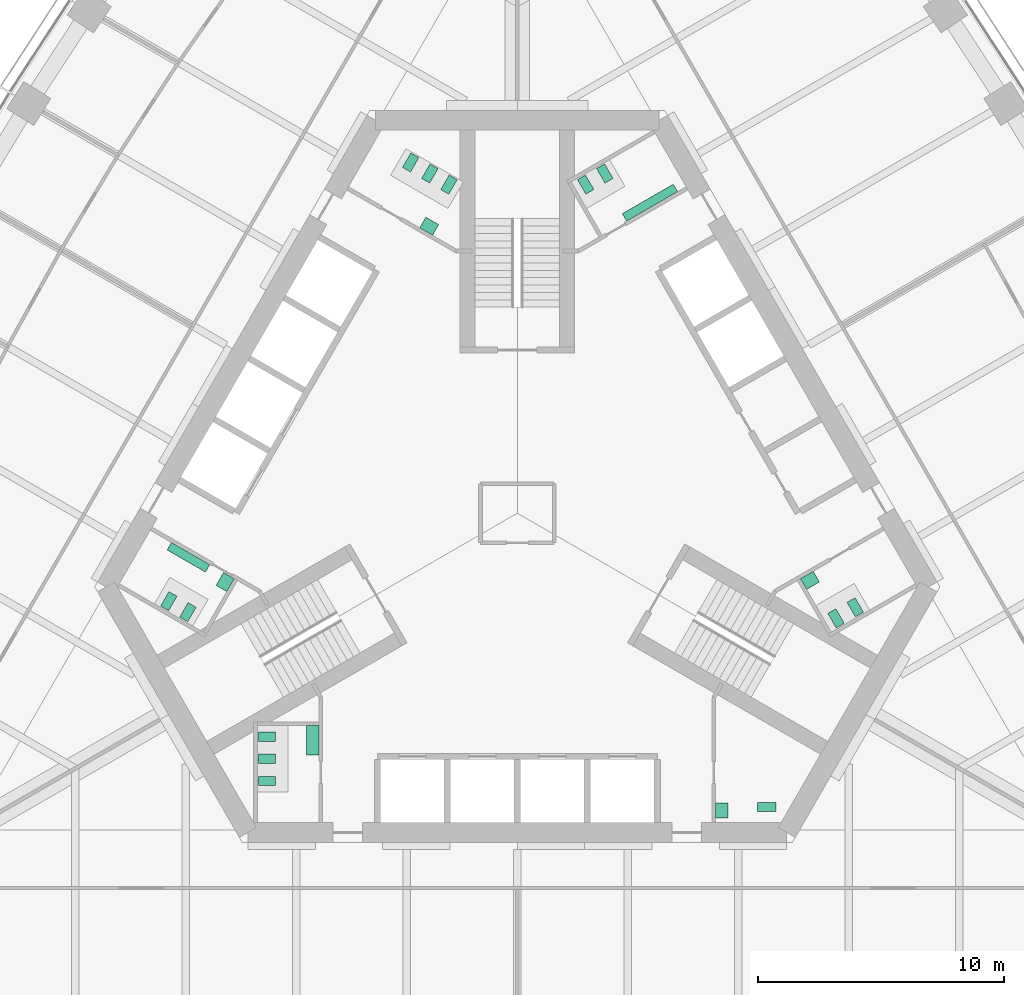
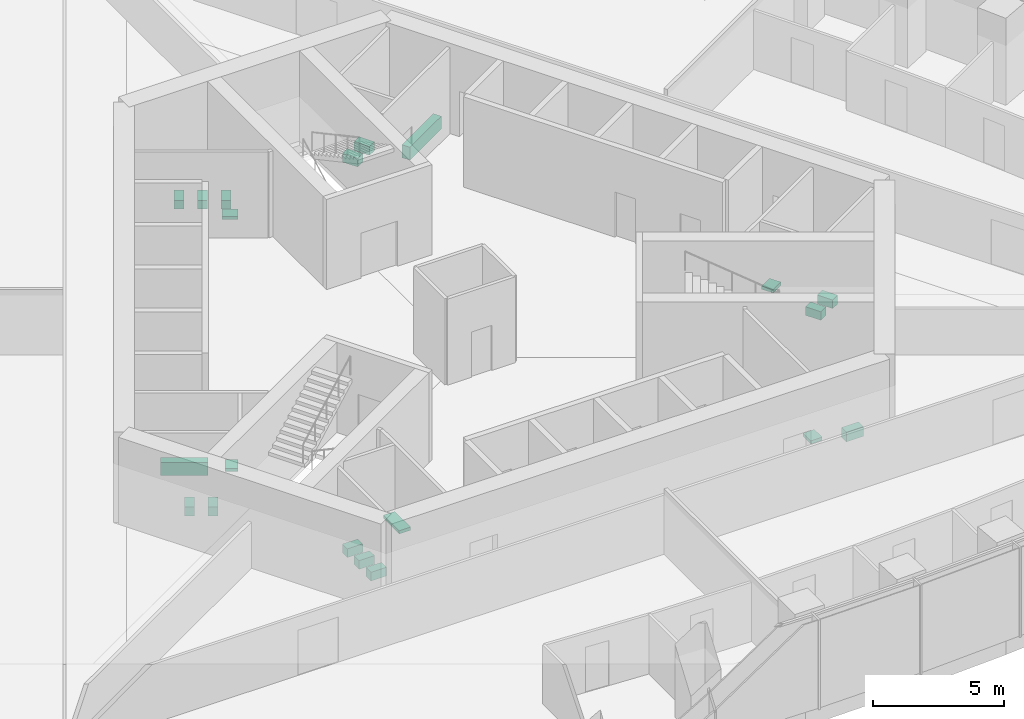
# One storey, part 18 of 19: 20 sanitary terminals.
"""IFC4 building model written with IfcOpenShell, lengths in metres."""

import ifcopenshell
import ifcopenshell.guid

model = None  # the IFC model being written
_history = None  # IfcOwnerHistory: only IFC2X3 demands one
_inside = {}  # id of a spatial element -> (the spatial element, [elements in it])
_under = {}  # id of a project, library or spatial element -> (it, [spatial elements below it])
_declared = {}  # id of a project -> (the project, [libraries it declares])
_typed = {}  # id of a type object -> (the type object, [elements of that type])
_made_of = {}  # id of a material, layer set ... -> (it, [elements and type objects made of it])


def new_model(schema):
    """Start an empty IFC model of exactly this schema.

    Asked for "IFC4X3", IfcOpenShell would pick the latest addendum, in which some entities
    have other attributes; the version numbers below select the first issue.
    IFC2X3 requires an IfcOwnerHistory on every rooted entity: one is made here for all.
    """
    global model, _history
    if schema == "IFC4X3":
        model = ifcopenshell.file(schema_version=(4, 3, 0, 0))
    else:
        model = ifcopenshell.file(schema=schema)
    _inside.clear()
    _under.clear()
    _declared.clear()
    _typed.clear()
    _made_of.clear()
    _history = None
    if model.schema == "IFC2X3":
        org = make("IfcOrganization", Name="unknown")
        user = make(
            "IfcPersonAndOrganization",
            ThePerson=make("IfcPerson", FamilyName="unknown"),
            TheOrganization=org,
        )
        app = make(
            "IfcApplication",
            ApplicationDeveloper=org,
            Version="unknown",
            ApplicationFullName="unknown",
            ApplicationIdentifier="unknown",
        )
        _history = make(
            "IfcOwnerHistory",
            OwningUser=user,
            OwningApplication=app,
            ChangeAction="ADDED",
            CreationDate=0,
        )
    return model


def make(cls, **values):
    """One entity of the class cls with the attributes given. An attribute that is None is left unset."""
    return model.create_entity(
        cls, **{name: value for name, value in values.items() if value is not None}
    )


def rooted(cls, **values):
    """An entity with a GlobalId (a new one), such as an element, a storey or a relation."""
    return make(cls, GlobalId=ifcopenshell.guid.new(), OwnerHistory=_history, **values)


def si_unit(unit_type, name, prefix=None):
    """IfcSIUnit, for example si_unit("LENGTHUNIT", "METRE", prefix="MILLI")."""
    return make("IfcSIUnit", UnitType=unit_type, Prefix=prefix, Name=name)


def assignment(units):
    """IfcUnitAssignment: the units of a project."""
    return None if units is None else make("IfcUnitAssignment", Units=units)


def point(xyz):
    """IfcCartesianPoint."""
    return None if xyz is None else make("IfcCartesianPoint", Coordinates=xyz)


def direction(xyz):
    """IfcDirection."""
    return None if xyz is None else make("IfcDirection", DirectionRatios=xyz)


def frame(location, z_axis=None, x_axis=None):
    """IfcAxis2Placement3D, a coordinate frame: its origin and axes. An axis left out is left unset."""
    return make(
        "IfcAxis2Placement3D",
        Location=point(location),
        Axis=direction(z_axis),
        RefDirection=direction(x_axis),
    )


def origin():
    """The frame at (0, 0, 0) with its axes left unset."""
    return frame((0.0, 0.0, 0.0))


def place(relative_to, where):
    """IfcLocalPlacement: puts the frame where relative to a parent placement (None: the world)."""
    return make(
        "IfcLocalPlacement", PlacementRelTo=relative_to, RelativePlacement=where
    )


def context(
    kind, dimensions, precision=None, world=None, true_north=None, identifier=None
):
    """IfcGeometricRepresentationContext, for example the 3D "Model" context."""
    return make(
        "IfcGeometricRepresentationContext",
        ContextIdentifier=identifier,
        ContextType=kind,
        CoordinateSpaceDimension=dimensions,
        Precision=precision,
        WorldCoordinateSystem=world,
        TrueNorth=true_north,
    )


def subcontext(parent, identifier, kind, view, scale=None):
    """IfcGeometricRepresentationSubContext, for example "Body" below "Model"."""
    return make(
        "IfcGeometricRepresentationSubContext",
        ContextIdentifier=identifier,
        ContextType=kind,
        ParentContext=parent,
        TargetScale=scale,
        TargetView=view,
    )


def project(units=None, contexts=None):
    """IfcProject with its units and contexts."""
    return rooted(
        "IfcProject",
        Name="project",
        RepresentationContexts=contexts,
        UnitsInContext=assignment(units),
    )


def spatial(cls, under=None, at=None, **own):
    """A site, building, storey or space (cls), placed at a placement, below another one or the project."""
    s = rooted(cls, ObjectPlacement=at, **own)
    if under is not None:
        _under.setdefault(under.id(), (under, []))[1].append(s)
    return s


def polyline(points):
    """IfcPolyline through the points."""
    return make("IfcPolyline", Points=[point(p) for p in points])


def outline(outer, holes=None, kind="AREA"):
    """IfcArbitraryClosedProfileDef: a profile drawn as a closed curve; with holes, ...WithVoids."""
    if holes is None:
        return make("IfcArbitraryClosedProfileDef", ProfileType=kind, OuterCurve=outer)
    return make(
        "IfcArbitraryProfileDefWithVoids",
        ProfileType=kind,
        OuterCurve=outer,
        InnerCurves=holes,
    )


def extrude(swept, where, along, depth):
    """IfcExtrudedAreaSolid: the profile swept, set in the frame where, extruded along a direction by depth."""
    return make(
        "IfcExtrudedAreaSolid",
        SweptArea=swept,
        Position=where,
        ExtrudedDirection=direction(along),
        Depth=depth,
    )


def shape(context_of_items, identifier, shape_type, items):
    """IfcShapeRepresentation: the items that make up one representation, for example the "Body"."""
    return make(
        "IfcShapeRepresentation",
        ContextOfItems=context_of_items,
        RepresentationIdentifier=identifier,
        RepresentationType=shape_type,
        Items=items,
    )


def material(Name=None, Category=None):
    """IfcMaterial."""
    return make("IfcMaterial", Name=Name, Category=Category)


def made_of(thing, what):
    """Note that an element or type object is made of a material, layer set ...; save() writes the relation."""
    if what is not None:
        _made_of.setdefault(what.id(), (what, []))[1].append(thing)
    return thing


def type_object(cls, material=None, **own):
    """A type object (cls), such as IfcWallType, which elements share."""
    return made_of(rooted(cls, **own), material)


def element(
    cls,
    number,
    at=None,
    inside=None,
    cuts=None,
    type_object=None,
    material=None,
    context=None,
    identifier="Body",
    shape_type=None,
    held_by="IfcProductDefinitionShape",
    body=None,
    shapes=None,
    **own,
):
    """One element of the class cls, such as IfcWall. Its Tag is "e" and its number.

    at: its placement. inside: the storey or other place that contains it. cuts: it is an
    opening in that element (IfcRelVoidsElement). A single representation is given by context,
    identifier, shape_type and body (its items); several are given by shapes. held_by: the class
    of the entity that holds the representations. save() writes the other relations.
    """
    e = rooted(cls, Tag="e%d" % number, ObjectPlacement=at, **own)
    if body is not None:
        shapes = [shape(context, identifier, shape_type, body)]
    if shapes is not None:
        e.Representation = make(held_by, Representations=shapes)
    if inside is not None:
        _inside.setdefault(inside.id(), (inside, []))[1].append(e)
    if cuts is not None:
        rooted(
            "IfcRelVoidsElement", RelatingBuildingElement=cuts, RelatedOpeningElement=e
        )
    if type_object is not None:
        _typed.setdefault(type_object.id(), (type_object, []))[1].append(e)
    return made_of(e, material)


def aggregate(whole, parts):
    """IfcRelAggregates: a whole, such as a stair, and the parts it consists of."""
    return rooted("IfcRelAggregates", RelatingObject=whole, RelatedObjects=parts)


def save(model, path):
    """Write the relations noted so far, then the file.

    IfcRelAggregates (storeys below a building ...), IfcRelContainedInSpatialStructure (elements
    in a storey), IfcRelDefinesByType, IfcRelAssociatesMaterial and IfcRelDeclares: one each for
    every whole, place, type object, material and project.
    """
    for whole, parts in _under.values():
        aggregate(whole, parts)
    for where, things in _inside.values():
        rooted(
            "IfcRelContainedInSpatialStructure",
            RelatedElements=things,
            RelatingStructure=where,
        )
    for kind, things in _typed.values():
        rooted("IfcRelDefinesByType", RelatedObjects=things, RelatingType=kind)
    for what, things in _made_of.values():
        rooted("IfcRelAssociatesMaterial", RelatedObjects=things, RelatingMaterial=what)
    for by, libraries in _declared.values():
        rooted("IfcRelDeclares", RelatingContext=by, RelatedDefinitions=libraries)
    model.write(path)


model = new_model("IFC4")

# Units and contexts
model_context = context("Model", 3, precision=1e-05, world=origin(), true_north=direction((0.0, 1.0)))
body_context = subcontext(model_context, "Body", "Model", "MODEL_VIEW")
ifc_project = project(units=[si_unit("LENGTHUNIT", "METRE"), si_unit("AREAUNIT", "SQUARE_METRE"), si_unit("VOLUMEUNIT", "CUBIC_METRE"), si_unit("PLANEANGLEUNIT", "RADIAN"), si_unit("MASSUNIT", "GRAM", prefix="KILO")], contexts=[model_context])

# Site, building, storey
site_placement = place(None, origin())
site = spatial("IfcSite", under=ifc_project, at=site_placement, CompositionType="ELEMENT")
building_placement = place(site_placement, origin())
building = spatial("IfcBuilding", under=site, at=building_placement, Name="Trefoil Bronze Tower", CompositionType="ELEMENT")
storey_placement = place(building_placement, frame((0.0, 0.0, 132.5)))
storey = spatial("IfcBuildingStorey", under=building, at=storey_placement, Name="L30", CompositionType="ELEMENT", Elevation=132.5)

# Sanitary terminals
ifc_material_1 = material(Name="Vitreous china", Category="ceramic")
sanitary_terminal_type_1 = type_object("IfcSanitaryTerminalType", Name="Accessible WC pan", PredefinedType="TOILETPAN", material=ifc_material_1)
sanitary_terminal_1_placement = place(storey_placement, origin())
element("IfcSanitaryTerminal", 1, at=sanitary_terminal_1_placement, inside=storey, type_object=sanitary_terminal_type_1, Name="WC pan 1 Accessible WC L30", PredefinedType="TOILETPAN", context=body_context, shape_type="SweptSolid", body=[
    extrude(outline(polyline([(9.784912109375, -11.77001953125), (10.534912109375, -11.77001953125), (10.534912109375, -12.14990234375), (9.784912109375, -12.14990234375), (9.784912109375, -11.77001953125)])), origin(), (0.0, 0.0, 1.0), 0.449951171875),
])
ifc_material_2 = material(Name="Vitreous china", Category="ceramic")
sanitary_terminal_type_2 = type_object("IfcSanitaryTerminalType", Name="Accessible basin", PredefinedType="WASHHANDBASIN", material=ifc_material_2)
sanitary_terminal_2_placement = place(storey_placement, frame((0.0, 0.0, 0.64990234375)))
element("IfcSanitaryTerminal", 2, at=sanitary_terminal_2_placement, inside=storey, type_object=sanitary_terminal_type_2, Name="Wash basin Accessible WC L30", PredefinedType="WASHHANDBASIN", context=body_context, shape_type="SweptSolid", body=[
    extrude(outline(polyline([(8.074951171875, -11.800048828125), (8.574951171875, -11.800048828125), (8.574951171875, -12.39990234375), (8.074951171875, -12.39990234375), (8.074951171875, -11.800048828125)])), origin(), (0.0, 0.0, 1.0), 0.150146484375),
])
ifc_material_3 = material(Name="Vitreous china", Category="ceramic")
sanitary_terminal_type_3 = type_object("IfcSanitaryTerminalType", Name="Urinal range 3 urinals", PredefinedType="URINAL", material=ifc_material_3)
sanitary_terminal_3_placement = place(storey_placement, frame((0.0, 0.0, 0.39990234375)))
element("IfcSanitaryTerminal", 3, at=sanitary_terminal_3_placement, inside=storey, type_object=sanitary_terminal_type_3, Name="Urinal range WC (men) L30", PredefinedType="URINAL", context=body_context, shape_type="SweptSolid", body=[
    extrude(outline(polyline([(-12.524658203125, -2.09326171875), (-12.699462890625, -2.396240234375), (-14.25830078125, -1.496337890625), (-14.08349609375, -1.193115234375), (-12.524658203125, -2.09326171875)])), origin(), (0.0, 0.0, 1.0), 0.60009765625),
])
ifc_material_4 = material(Name="Vitreous china", Category="ceramic")
sanitary_terminal_type_4 = type_object("IfcSanitaryTerminalType", Name="Urinal range 4 urinals", PredefinedType="URINAL", material=ifc_material_4)
sanitary_terminal_4_placement = place(storey_placement, frame((0.0, 0.0, 0.39990234375)))
element("IfcSanitaryTerminal", 4, at=sanitary_terminal_4_placement, inside=storey, type_object=sanitary_terminal_type_4, Name="Urinal range WC (men) L30", PredefinedType="URINAL", context=body_context, shape_type="SweptSolid", body=[
    extrude(outline(polyline([(4.449462890625, 11.89306640625), (4.274658203125, 12.1962890625), (6.35302734375, 13.396240234375), (6.528076171875, 13.09326171875), (4.449462890625, 11.89306640625)])), origin(), (0.0, 0.0, 1.0), 0.60009765625),
])
ifc_material_5 = material(Name="Solid surface vanity", Category="plastic")
sanitary_terminal_type_5 = type_object("IfcSanitaryTerminalType", Name="Vanity unit 1 basins", PredefinedType="WASHHANDBASIN", material=ifc_material_5)
sanitary_terminal_5_placement = place(storey_placement, frame((0.0, 0.0, 0.75)))
element("IfcSanitaryTerminal", 5, at=sanitary_terminal_5_placement, inside=storey, type_object=sanitary_terminal_type_5, Name="Vanity unit WC (women) L30", PredefinedType="WASHHANDBASIN", context=body_context, shape_type="SweptSolid", body=[
    extrude(outline(polyline([(11.528564453125, -2.668212890625), (11.778564453125, -3.10107421875), (12.29833984375, -2.80126953125), (12.04833984375, -2.3681640625), (11.528564453125, -2.668212890625)])), origin(), (0.0, 0.0, 1.0), 0.14990234375),
])
sanitary_terminal_6_placement = place(storey_placement, frame((0.0, 0.0, 0.75)))
element("IfcSanitaryTerminal", 6, at=sanitary_terminal_6_placement, inside=storey, type_object=sanitary_terminal_type_5, Name="Vanity unit WC (women) L30", PredefinedType="WASHHANDBASIN", context=body_context, shape_type="SweptSolid", body=[
    extrude(outline(polyline([(-3.45361328125, 11.318115234375), (-3.20361328125, 11.751220703125), (-3.72314453125, 12.05126953125), (-3.97314453125, 11.6181640625), (-3.45361328125, 11.318115234375)])), origin(), (0.0, 0.0, 1.0), 0.14990234375),
])
sanitary_terminal_7_placement = place(storey_placement, frame((0.0, 0.0, 0.75)))
element("IfcSanitaryTerminal", 7, at=sanitary_terminal_7_placement, inside=storey, type_object=sanitary_terminal_type_5, Name="Vanity unit WC (men) L30", PredefinedType="WASHHANDBASIN", context=body_context, shape_type="SweptSolid", body=[
    extrude(outline(polyline([(-11.528564453125, -2.668212890625), (-11.82861328125, -3.187744140625), (-12.26171875, -2.937744140625), (-11.961669921875, -2.418212890625), (-11.528564453125, -2.668212890625)])), origin(), (0.0, 0.0, 1.0), 0.14990234375),
])
ifc_material_6 = material(Name="Solid surface vanity", Category="plastic")
sanitary_terminal_type_6 = type_object("IfcSanitaryTerminalType", Name="Vanity unit 2 basins", PredefinedType="WASHHANDBASIN", material=ifc_material_6)
sanitary_terminal_8_placement = place(storey_placement, frame((0.0, 0.0, 0.75)))
element("IfcSanitaryTerminal", 8, at=sanitary_terminal_8_placement, inside=storey, type_object=sanitary_terminal_type_6, Name="Vanity unit WC (women) L30", PredefinedType="WASHHANDBASIN", context=body_context, shape_type="SweptSolid", body=[
    extrude(outline(polyline([(-8.074951171875, -8.64990234375), (-8.574951171875, -8.64990234375), (-8.574951171875, -9.85009765625), (-8.074951171875, -9.85009765625), (-8.074951171875, -8.64990234375)])), origin(), (0.0, 0.0, 1.0), 0.14990234375),
])
ifc_material_7 = material(Name="Vitreous china", Category="ceramic")
sanitary_terminal_type_7 = type_object("IfcSanitaryTerminalType", Name="WC pan", PredefinedType="TOILETPAN", material=ifc_material_7)
sanitary_terminal_9_placement = place(storey_placement, origin())
element("IfcSanitaryTerminal", 9, at=sanitary_terminal_9_placement, inside=storey, type_object=sanitary_terminal_type_7, Name="WC pan 1 WC (women) L30", PredefinedType="TOILETPAN", context=body_context, shape_type="SweptSolid", body=[
    extrude(outline(polyline([(12.643798828125, -4.07958984375), (12.98388671875, -4.66845703125), (13.31298828125, -4.478515625), (12.972900390625, -3.8896484375), (12.643798828125, -4.07958984375)])), origin(), (0.0, 0.0, 1.0), 0.39990234375),
])
sanitary_terminal_10_placement = place(storey_placement, origin())
element("IfcSanitaryTerminal", 10, at=sanitary_terminal_10_placement, inside=storey, type_object=sanitary_terminal_type_7, Name="WC pan 2 WC (women) L30", PredefinedType="TOILETPAN", context=body_context, shape_type="SweptSolid", body=[
    extrude(outline(polyline([(13.423095703125, -3.629638671875), (13.76318359375, -4.218505859375), (14.09228515625, -4.028564453125), (13.752197265625, -3.439697265625), (13.423095703125, -3.629638671875)])), origin(), (0.0, 0.0, 1.0), 0.39990234375),
])
sanitary_terminal_11_placement = place(storey_placement, origin())
element("IfcSanitaryTerminal", 11, at=sanitary_terminal_11_placement, inside=storey, type_object=sanitary_terminal_type_7, Name="WC pan 1 WC (men) L30", PredefinedType="TOILETPAN", context=body_context, shape_type="SweptSolid", body=[
    extrude(outline(polyline([(2.788818359375, 12.98974609375), (2.44873046875, 13.57861328125), (2.77783203125, 13.7685546875), (3.117919921875, 13.1796875), (2.788818359375, 12.98974609375)])), origin(), (0.0, 0.0, 1.0), 0.39990234375),
])
sanitary_terminal_12_placement = place(storey_placement, origin())
element("IfcSanitaryTerminal", 12, at=sanitary_terminal_12_placement, inside=storey, type_object=sanitary_terminal_type_7, Name="WC pan 2 WC (men) L30", PredefinedType="TOILETPAN", context=body_context, shape_type="SweptSolid", body=[
    extrude(outline(polyline([(3.568115234375, 13.439697265625), (3.228271484375, 14.028564453125), (3.557373046875, 14.218505859375), (3.897216796875, 13.629638671875), (3.568115234375, 13.439697265625)])), origin(), (0.0, 0.0, 1.0), 0.39990234375),
])
sanitary_terminal_13_placement = place(storey_placement, origin())
element("IfcSanitaryTerminal", 13, at=sanitary_terminal_13_placement, inside=storey, type_object=sanitary_terminal_type_7, Name="WC pan 1 WC (women) L30", PredefinedType="TOILETPAN", context=body_context, shape_type="SweptSolid", body=[
    extrude(outline(polyline([(-2.788818359375, 12.98974609375), (-2.44873046875, 13.57861328125), (-2.77783203125, 13.7685546875), (-3.117919921875, 13.1796875), (-2.788818359375, 12.98974609375)])), origin(), (0.0, 0.0, 1.0), 0.39990234375),
])
sanitary_terminal_14_placement = place(storey_placement, origin())
element("IfcSanitaryTerminal", 14, at=sanitary_terminal_14_placement, inside=storey, type_object=sanitary_terminal_type_7, Name="WC pan 2 WC (women) L30", PredefinedType="TOILETPAN", context=body_context, shape_type="SweptSolid", body=[
    extrude(outline(polyline([(-3.568115234375, 13.439697265625), (-3.228271484375, 14.028564453125), (-3.557373046875, 14.218505859375), (-3.897216796875, 13.629638671875), (-3.568115234375, 13.439697265625)])), origin(), (0.0, 0.0, 1.0), 0.39990234375),
])
sanitary_terminal_15_placement = place(storey_placement, origin())
element("IfcSanitaryTerminal", 15, at=sanitary_terminal_15_placement, inside=storey, type_object=sanitary_terminal_type_7, Name="WC pan 3 WC (women) L30", PredefinedType="TOILETPAN", context=body_context, shape_type="SweptSolid", body=[
    extrude(outline(polyline([(-4.34765625, 13.8896484375), (-4.007568359375, 14.478515625), (-4.336669921875, 14.66845703125), (-4.6767578125, 14.07958984375), (-4.34765625, 13.8896484375)])), origin(), (0.0, 0.0, 1.0), 0.39990234375),
])
sanitary_terminal_16_placement = place(storey_placement, origin())
element("IfcSanitaryTerminal", 16, at=sanitary_terminal_16_placement, inside=storey, type_object=sanitary_terminal_type_7, Name="WC pan 1 WC (men) L30", PredefinedType="TOILETPAN", context=body_context, shape_type="SweptSolid", body=[
    extrude(outline(polyline([(-13.076904296875, -3.82958984375), (-13.416748046875, -4.41845703125), (-13.745849609375, -4.228515625), (-13.406005859375, -3.6396484375), (-13.076904296875, -3.82958984375)])), origin(), (0.0, 0.0, 1.0), 0.39990234375),
])
sanitary_terminal_17_placement = place(storey_placement, origin())
element("IfcSanitaryTerminal", 17, at=sanitary_terminal_17_placement, inside=storey, type_object=sanitary_terminal_type_7, Name="WC pan 2 WC (men) L30", PredefinedType="TOILETPAN", context=body_context, shape_type="SweptSolid", body=[
    extrude(outline(polyline([(-13.856201171875, -3.379638671875), (-14.1962890625, -3.968505859375), (-14.525390625, -3.778564453125), (-14.185302734375, -3.189697265625), (-13.856201171875, -3.379638671875)])), origin(), (0.0, 0.0, 1.0), 0.39990234375),
])
sanitary_terminal_18_placement = place(storey_placement, origin())
element("IfcSanitaryTerminal", 18, at=sanitary_terminal_18_placement, inside=storey, type_object=sanitary_terminal_type_7, Name="WC pan 1 WC (women) L30", PredefinedType="TOILETPAN", context=body_context, shape_type="SweptSolid", body=[
    extrude(outline(polyline([(-9.85498046875, -8.909912109375), (-10.534912109375, -8.909912109375), (-10.534912109375, -9.2900390625), (-9.85498046875, -9.2900390625), (-9.85498046875, -8.909912109375)])), origin(), (0.0, 0.0, 1.0), 0.39990234375),
])
sanitary_terminal_19_placement = place(storey_placement, origin())
element("IfcSanitaryTerminal", 19, at=sanitary_terminal_19_placement, inside=storey, type_object=sanitary_terminal_type_7, Name="WC pan 2 WC (women) L30", PredefinedType="TOILETPAN", context=body_context, shape_type="SweptSolid", body=[
    extrude(outline(polyline([(-9.85498046875, -9.81005859375), (-10.534912109375, -9.81005859375), (-10.534912109375, -10.18994140625), (-9.85498046875, -10.18994140625), (-9.85498046875, -9.81005859375)])), origin(), (0.0, 0.0, 1.0), 0.39990234375),
])
sanitary_terminal_20_placement = place(storey_placement, origin())
element("IfcSanitaryTerminal", 20, at=sanitary_terminal_20_placement, inside=storey, type_object=sanitary_terminal_type_7, Name="WC pan 3 WC (women) L30", PredefinedType="TOILETPAN", context=body_context, shape_type="SweptSolid", body=[
    extrude(outline(polyline([(-9.85498046875, -10.7099609375), (-10.534912109375, -10.7099609375), (-10.534912109375, -11.090087890625), (-9.85498046875, -11.090087890625), (-9.85498046875, -10.7099609375)])), origin(), (0.0, 0.0, 1.0), 0.39990234375),
])

save(model, "model.ifc")
